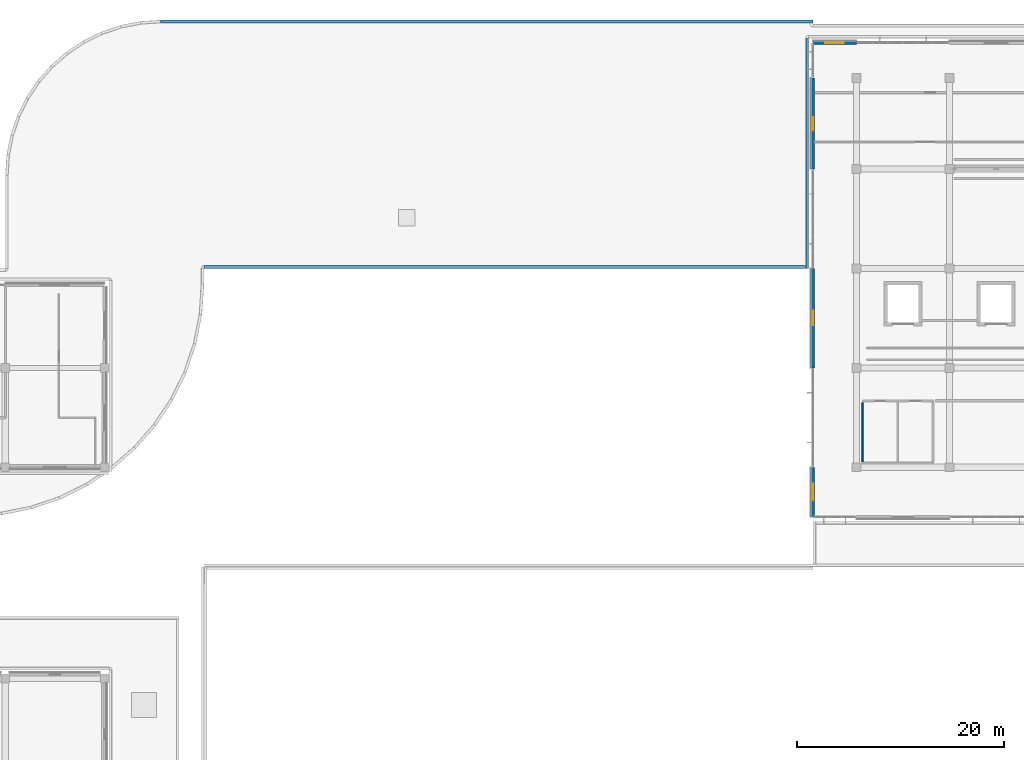
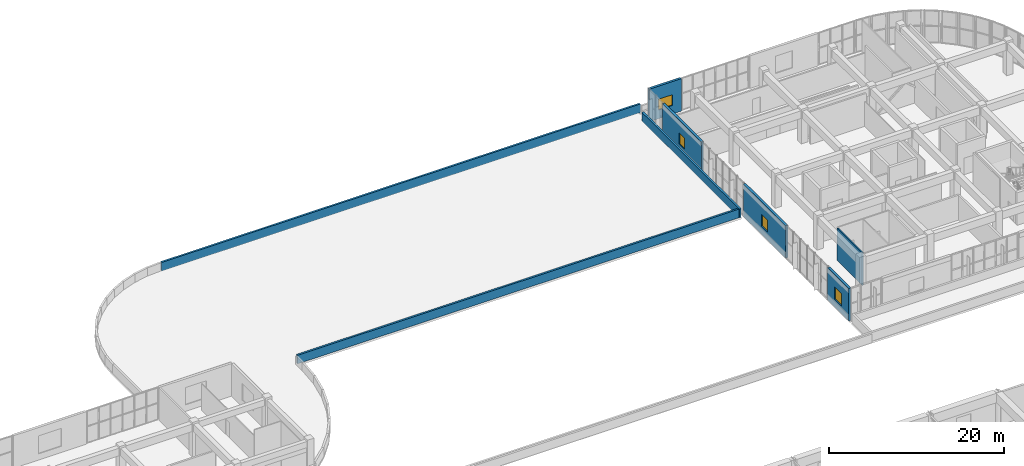
# One storey, part 49 of 67: 8 walls, 4 windows, 4 openings.
"""IFC4 building model written with IfcOpenShell, lengths in metres."""

from ifc_helpers import new_model, si_unit, direction, frame, frame_2d, origin, place, context, subcontext, project, spatial, rectangle, extrude, material, layer, layer_set, type_object, element, fill, save


model = new_model("IFC4")

# Units and contexts
model_context = context("Model", 3, precision=1e-05, world=origin(), true_north=direction((0.0, 1.0)))
body_context = subcontext(model_context, "Body", "Model", "MODEL_VIEW")
ifc_project = project(units=[si_unit("LENGTHUNIT", "METRE"), si_unit("AREAUNIT", "SQUARE_METRE"), si_unit("VOLUMEUNIT", "CUBIC_METRE"), si_unit("PLANEANGLEUNIT", "RADIAN"), si_unit("MASSUNIT", "GRAM", prefix="KILO")], contexts=[model_context])

# Site, building, storey
site_placement = place(None, origin())
site = spatial("IfcSite", under=ifc_project, at=site_placement, CompositionType="ELEMENT")
building_placement = place(site_placement, origin())
building = spatial("IfcBuilding", under=site, at=building_placement, Name="Cendralis Terraced Arcade", CompositionType="ELEMENT")
storey_placement = place(building_placement, frame((0.0, 0.0, 15.0)))
storey = spatial("IfcBuildingStorey", under=building, at=storey_placement, Name="L03", CompositionType="ELEMENT", Elevation=15.0)

# Wall, opening, window
ifc_material_1 = material(Name="Precast concrete f'c 40 MPa", Category="concrete")
ifc_layer_1 = layer(ifc_material_1, 0.300048828125, Name="WL-EXT-GRC-300")
ifc_layer_set_1 = layer_set([ifc_layer_1], Name="Precast concrete f'c 40 MPa")
wall_type_1 = type_object("IfcWallType", Name="WL-EXT-GRC-300", PredefinedType="SOLIDWALL", material=ifc_layer_set_1)
wall_1_placement = place(storey_placement, frame((126.0, 64.800048828125, 0.0), z_axis=(0.0, 0.0, 1.0), x_axis=(0.0, 1.0, 0.0)))
wall_1 = element("IfcWall", 1, at=wall_1_placement, inside=storey, type_object=wall_type_1, Name="Exterior Architectural Wall EW-L03-0234", PredefinedType="SOLIDWALL", context=body_context, shape_type="SweptSolid", body=[
    extrude(rectangle(XDim=4.800048828125, YDim=0.300048828125, at=frame_2d((2.39990234375, 0.0))), origin(), (0.0, 0.0, 1.0), 4.52001953125),
])
opening_1_placement = place(wall_1_placement, frame((1.60009765625, 0.0, 1.10009765625)))
opening_1 = element("IfcOpeningElement", 2, at=opening_1_placement, cuts=wall_1, Name="Opening W-28", PredefinedType="OPENING", context=body_context, shape_type="SweptSolid", body=[
    extrude(rectangle(XDim=1.60009765625, YDim=1.699951171875, at=frame_2d((0.800048828125, 0.85009765625))), frame((0.0, 0.162109375, 0.0), z_axis=(0.0, -1.0, 0.0), x_axis=(1.0, 0.0, 0.0)), (0.0, 0.0, 1.0), 0.323974609375),
])
ifc_material_2 = material(Name="Tempered solar control laminated glass", Category="glass")
window_type_1 = type_object("IfcWindowType", Name="WN-F3-1600x1700", PartitioningType="SINGLE_PANEL", PredefinedType="WINDOW", material=ifc_material_2)
window_1_placement = place(opening_1_placement, origin())
window_1 = element("IfcWindow", 3, at=window_1_placement, inside=storey, type_object=window_type_1, Name="Exterior Solar-Control Window WN-L03-0146", OverallHeight=1.699951171875, OverallWidth=1.60009765625, PartitioningType="SINGLE_PANEL", PredefinedType="WINDOW", context=body_context, shape_type="SweptSolid", body=[
    extrude(rectangle(XDim=1.60009765625, YDim=1.699951171875, at=frame_2d((0.800048828125, 0.85009765625))), frame((0.0, 0.030029296875, 0.0), z_axis=(0.0, -1.0, 0.0), x_axis=(1.0, 0.0, 0.0)), (0.0, 0.0, 1.0), 0.06005859375),
])
fill(opening_1, window_1)

wall_2_placement = place(storey_placement, frame((126.0, 79.199951171875, 0.0), z_axis=(0.0, 0.0, 1.0), x_axis=(0.0, 1.0, 0.0)))
wall_2 = element("IfcWall", 4, at=wall_2_placement, inside=storey, type_object=wall_type_1, Name="Exterior Architectural Wall EW-L03-0235", PredefinedType="SOLIDWALL", context=body_context, shape_type="SweptSolid", body=[
    extrude(rectangle(XDim=9.60009765625, YDim=0.300048828125, at=frame_2d((4.800048828125, 0.0))), origin(), (0.0, 0.0, 1.0), 4.52001953125),
])
opening_2_placement = place(wall_2_placement, frame((4.10009765625, 0.0, 1.14990234375)))
opening_2 = element("IfcOpeningElement", 5, at=opening_2_placement, cuts=wall_2, Name="Opening W-29", PredefinedType="OPENING", context=body_context, shape_type="SweptSolid", body=[
    extrude(rectangle(XDim=1.39990234375, YDim=1.64990234375, at=frame_2d((0.699951171875, 0.824951171875))), frame((0.0, 0.162109375, 0.0), z_axis=(0.0, -1.0, 0.0), x_axis=(1.0, 0.0, 0.0)), (0.0, 0.0, 1.0), 0.323974609375),
])
window_type_2 = type_object("IfcWindowType", Name="WN-F3-1400x1650", PartitioningType="SINGLE_PANEL", PredefinedType="WINDOW", material=ifc_material_2)
window_2_placement = place(opening_2_placement, origin())
window_2 = element("IfcWindow", 6, at=window_2_placement, inside=storey, type_object=window_type_2, Name="Exterior Solar-Control Window WN-L03-0147", OverallHeight=1.64990234375, OverallWidth=1.39990234375, PartitioningType="SINGLE_PANEL", PredefinedType="WINDOW", context=body_context, shape_type="SweptSolid", body=[
    extrude(rectangle(XDim=1.39990234375, YDim=1.64990234375, at=frame_2d((0.699951171875, 0.824951171875))), frame((0.0, 0.030029296875, 0.0), z_axis=(0.0, -1.0, 0.0), x_axis=(1.0, 0.0, 0.0)), (0.0, 0.0, 1.0), 0.06005859375),
])
fill(opening_2, window_2)

wall_3_placement = place(storey_placement, frame((126.0, 98.39990234375, 0.0), z_axis=(0.0, 0.0, 1.0), x_axis=(0.0, 1.0, 0.0)))
wall_3 = element("IfcWall", 7, at=wall_3_placement, inside=storey, type_object=wall_type_1, Name="Exterior Architectural Wall EW-L03-0236", PredefinedType="SOLIDWALL", context=body_context, shape_type="SweptSolid", body=[
    extrude(rectangle(XDim=8.800048828125, YDim=0.300048828125, at=frame_2d((4.39990234375, 0.0))), origin(), (0.0, 0.0, 1.0), 4.52001953125),
])
opening_3_placement = place(wall_3_placement, frame((3.77490234375, 0.0, 1.199951171875)))
opening_3 = element("IfcOpeningElement", 8, at=opening_3_placement, cuts=wall_3, Name="Opening W-30", PredefinedType="OPENING", context=body_context, shape_type="SweptSolid", body=[
    extrude(rectangle(XDim=1.25, YDim=1.550048828125, at=frame_2d((0.625, 0.77490234375))), frame((0.0, 0.162109375, 0.0), z_axis=(0.0, -1.0, 0.0), x_axis=(1.0, 0.0, 0.0)), (0.0, 0.0, 1.0), 0.323974609375),
])
window_type_3 = type_object("IfcWindowType", Name="WN-F3-1250x1550", PartitioningType="SINGLE_PANEL", PredefinedType="WINDOW", material=ifc_material_2)
window_3_placement = place(opening_3_placement, origin())
window_3 = element("IfcWindow", 9, at=window_3_placement, inside=storey, type_object=window_type_3, Name="Exterior Solar-Control Window WN-L03-0148", OverallHeight=1.550048828125, OverallWidth=1.25, PartitioningType="SINGLE_PANEL", PredefinedType="WINDOW", context=body_context, shape_type="SweptSolid", body=[
    extrude(rectangle(XDim=1.25, YDim=1.550048828125, at=frame_2d((0.625, 0.77490234375))), frame((0.0, 0.030029296875, 0.0), z_axis=(0.0, -1.0, 0.0), x_axis=(1.0, 0.0, 0.0)), (0.0, 0.0, 1.0), 0.06005859375),
])
fill(opening_3, window_3)

wall_4_placement = place(storey_placement, frame((126.0, 110.60009765625, 0.0), z_axis=(0.0, 0.0, 1.0), x_axis=(1.0, 0.0, 0.0)))
wall_4 = element("IfcWall", 10, at=wall_4_placement, inside=storey, type_object=wall_type_1, Name="Exterior Architectural Wall EW-L03-0237", PredefinedType="SOLIDWALL", context=body_context, shape_type="SweptSolid", body=[
    extrude(rectangle(XDim=4.199951171875, YDim=0.300048828125, at=frame_2d((2.10009765625, 0.0))), origin(), (0.0, 0.0, 1.0), 4.52001953125),
])
opening_4_placement = place(wall_4_placement, frame((1.199951171875, 0.0, 1.199951171875)))
opening_4 = element("IfcOpeningElement", 11, at=opening_4_placement, cuts=wall_4, Name="Opening W-19", PredefinedType="OPENING", context=body_context, shape_type="SweptSolid", body=[
    extrude(rectangle(XDim=1.800048828125, YDim=1.5, at=frame_2d((0.89990234375, 0.75))), frame((0.0, 0.162109375, 0.0), z_axis=(0.0, -1.0, 0.0), x_axis=(1.0, 0.0, 0.0)), (0.0, 0.0, 1.0), 0.323974609375),
])
window_type_4 = type_object("IfcWindowType", Name="WN-BOH-1800x1500", PartitioningType="SINGLE_PANEL", PredefinedType="WINDOW", material=ifc_material_2)
window_4_placement = place(opening_4_placement, origin())
window_4 = element("IfcWindow", 12, at=window_4_placement, inside=storey, type_object=window_type_4, Name="Exterior Solar-Control Window WN-L03-0149", OverallHeight=1.5, OverallWidth=1.800048828125, PartitioningType="SINGLE_PANEL", PredefinedType="WINDOW", context=body_context, shape_type="SweptSolid", body=[
    extrude(rectangle(XDim=1.800048828125, YDim=1.5, at=frame_2d((0.89990234375, 0.75))), frame((0.0, 0.030029296875, 0.0), z_axis=(0.0, -1.0, 0.0), x_axis=(1.0, 0.0, 0.0)), (0.0, 0.0, 1.0), 0.06005859375),
])
fill(opening_4, window_4)

# Walls
ifc_layer_2 = layer(ifc_material_1, 0.25, Name="WL-PAR-250")
ifc_layer_set_2 = layer_set([ifc_layer_2], Name="Precast concrete f'c 40 MPa")
wall_type_2 = type_object("IfcWallType", Name="WL-PAR-250", PredefinedType="PARAPET", material=ifc_layer_set_2)
wall_5_placement = place(storey_placement, frame((125.43505859375, 111.02001953125, 0.0), z_axis=(0.0, 0.0, 1.0), x_axis=(0.0, -1.0, 0.0)))
element("IfcWall", 13, at=wall_5_placement, inside=storey, type_object=wall_type_2, Name="Precast Concrete Roof Parapet Wall PAR-L03-199", PredefinedType="PARAPET", context=body_context, shape_type="SweptSolid", body=[
    extrude(rectangle(XDim=22.219970703125, YDim=0.25, at=frame_2d((11.10986328125, 0.0))), origin(), (0.0, 0.0, 1.0), 1.199951171875),
])
wall_6_placement = place(storey_placement, frame((125.2900390625, 88.945068359375, 0.0), z_axis=(0.0, 0.0, 1.0), x_axis=(-1.0, 0.0, 0.0)))
element("IfcWall", 14, at=wall_6_placement, inside=storey, type_object=wall_type_2, Name="Precast Concrete Roof Parapet Wall PAR-L03-200", PredefinedType="PARAPET", context=body_context, shape_type="SweptSolid", body=[
    extrude(rectangle(XDim=58.090087890625, YDim=0.25, at=frame_2d((29.044921875, 0.0))), origin(), (0.0, 0.0, 1.0), 1.199951171875),
])
wall_7_placement = place(storey_placement, frame((63.0, 112.655029296875, 0.0), z_axis=(0.0, 0.0, 1.0), x_axis=(1.0, 0.0, 0.0)))
element("IfcWall", 15, at=wall_7_placement, inside=storey, type_object=wall_type_2, Name="Precast Concrete Roof Parapet Wall PAR-L03-258", PredefinedType="PARAPET", context=body_context, shape_type="SweptSolid", body=[
    extrude(rectangle(XDim=63.0, YDim=0.25, at=frame_2d((31.5, 0.0))), origin(), (0.0, 0.0, 1.0), 1.199951171875),
])
ifc_material_3 = material(Name="Gypsum plasterboard acoustic partition", Category="concrete")
ifc_layer_3 = layer(ifc_material_3, 0.159912109375, Name="WL-PART-160")
ifc_layer_set_3 = layer_set([ifc_layer_3], Name="Gypsum plasterboard acoustic partition")
wall_type_3 = type_object("IfcWallType", Name="WL-PART-160", PredefinedType="PARTITIONING", material=ifc_layer_set_3)
wall_8_placement = place(storey_placement, frame((130.800048828125, 70.14990234375, 0.0), z_axis=(0.0, 0.0, 1.0), x_axis=(0.0, 1.0, 0.0)))
element("IfcWall", 16, at=wall_8_placement, inside=storey, type_object=wall_type_3, Name="Restroom Enclosure Partition IW-WC-L03-0060", PredefinedType="PARTITIONING", context=body_context, shape_type="SweptSolid", body=[
    extrude(rectangle(XDim=5.7001953125, YDim=0.159912109375, at=frame_2d((2.85009765625, 0.0))), origin(), (0.0, 0.0, 1.0), 4.52001953125),
])

save(model, "model.ifc")
